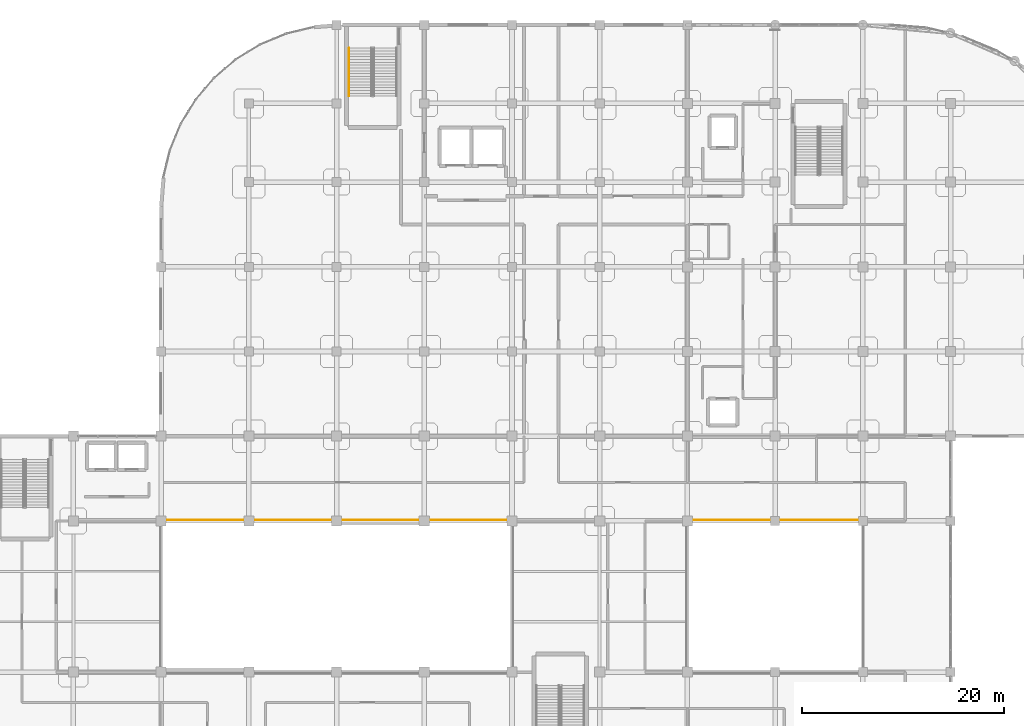
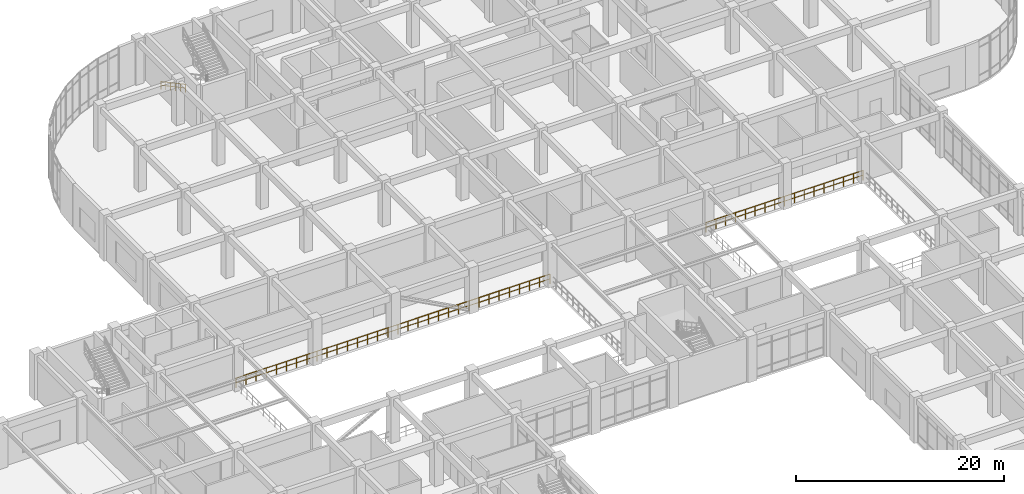
# One storey, part 110 of 114: 3 railings.
"""IFC4 building model written with IfcOpenShell, lengths in metres."""

from ifc_helpers import new_model, si_unit, derived_unit, direction, frame, origin, origin_2d, place, context, subcontext, project, spatial, circle, extrude, material, type_object, element, save


model = new_model("IFC4")

# Units and contexts
model_context = context("Model", 3, precision=1e-05, world=origin(), true_north=direction((0.0, 1.0)))
body_context = subcontext(model_context, "Body", "Model", "MODEL_VIEW")
ifc_project = project(units=[si_unit("LENGTHUNIT", "METRE"), si_unit("AREAUNIT", "SQUARE_METRE"), si_unit("VOLUMEUNIT", "CUBIC_METRE"), si_unit("PLANEANGLEUNIT", "RADIAN"), si_unit("MASSUNIT", "GRAM", prefix="KILO"), derived_unit("THERMALTRANSMITTANCEUNIT", [(si_unit("MASSUNIT", "GRAM", prefix="KILO"), 1), (si_unit("TIMEUNIT", "SECOND"), -3), (si_unit("THERMODYNAMICTEMPERATUREUNIT", "KELVIN"), -1)])], contexts=[model_context])

# Site, building, storey
site_placement = place(None, origin())
site = spatial("IfcSite", under=ifc_project, at=site_placement, CompositionType="ELEMENT")
building_placement = place(site_placement, origin())
building = spatial("IfcBuilding", under=site, at=building_placement, Name="Qinzheling Arcade Emporium", CompositionType="ELEMENT")
storey_placement = place(building_placement, frame((0.0, 0.0, 6.0)))
storey = spatial("IfcBuildingStorey", under=building, at=storey_placement, Name="L02", CompositionType="ELEMENT", Elevation=6.0)

# Railings
ifc_material_1 = material(Name="Galvanised powder-coated tubular steel", Category="steel")
railing_type_1 = type_object("IfcRailingType", Name="Painted Steel Stairwell Guard Railing 1150", PredefinedType="GUARDRAIL", material=ifc_material_1)
railing_1_placement = place(storey_placement, frame((52.169921875, 65.47998046875, 0.0)))
element("IfcRailing", 1, at=railing_1_placement, inside=storey, type_object=railing_type_1, Name="Atrium Void Guard L02 N", PredefinedType="GUARDRAIL", context=body_context, shape_type="SweptSolid", body=[
    extrude(circle(Radius=0.02392578125, at=origin_2d()), frame((0.0, 0.0, 1.1259765625), z_axis=(1.0, 0.0, 0.0), x_axis=(0.0, 1.0, 0.0)), (0.0, 0.0, 1.0), 34.860107421875),
    extrude(circle(Radius=0.01611328125, at=origin_2d()), frame((0.0, 0.0, 0.574951171875), z_axis=(1.0, 0.0, 0.0), x_axis=(0.0, 1.0, 0.0)), (0.0, 0.0, 1.0), 34.860107421875),
    extrude(circle(Radius=0.02099609375, at=origin_2d()), origin(), (0.0, 0.0, 1.0), 1.101806640625),
    extrude(circle(Radius=0.02099609375, at=origin_2d()), frame((1.12451171875, 0.0, 0.0)), (0.0, 0.0, 1.0), 1.101806640625),
    extrude(circle(Radius=0.02099609375, at=origin_2d()), frame((2.2490234375, 0.0, 0.0)), (0.0, 0.0, 1.0), 1.101806640625),
    extrude(circle(Radius=0.02099609375, at=origin_2d()), frame((3.37353515625, 0.0, 0.0)), (0.0, 0.0, 1.0), 1.101806640625),
    extrude(circle(Radius=0.02099609375, at=origin_2d()), frame((4.498046875, 0.0, 0.0)), (0.0, 0.0, 1.0), 1.101806640625),
    extrude(circle(Radius=0.02099609375, at=origin_2d()), frame((5.62255859375, 0.0, 0.0)), (0.0, 0.0, 1.0), 1.101806640625),
    extrude(circle(Radius=0.02099609375, at=origin_2d()), frame((6.7470703125, 0.0, 0.0)), (0.0, 0.0, 1.0), 1.101806640625),
    extrude(circle(Radius=0.02099609375, at=origin_2d()), frame((7.87158203125, 0.0, 0.0)), (0.0, 0.0, 1.0), 1.101806640625),
    extrude(circle(Radius=0.02099609375, at=origin_2d()), frame((8.99609375, 0.0, 0.0)), (0.0, 0.0, 1.0), 1.101806640625),
    extrude(circle(Radius=0.02099609375, at=origin_2d()), frame((10.12060546875, 0.0, 0.0)), (0.0, 0.0, 1.0), 1.101806640625),
    extrude(circle(Radius=0.02099609375, at=origin_2d()), frame((11.2451171875, 0.0, 0.0)), (0.0, 0.0, 1.0), 1.101806640625),
    extrude(circle(Radius=0.02099609375, at=origin_2d()), frame((12.36962890625, 0.0, 0.0)), (0.0, 0.0, 1.0), 1.101806640625),
    extrude(circle(Radius=0.02099609375, at=origin_2d()), frame((13.494140625, 0.0, 0.0)), (0.0, 0.0, 1.0), 1.101806640625),
    extrude(circle(Radius=0.02099609375, at=origin_2d()), frame((14.61865234375, 0.0, 0.0)), (0.0, 0.0, 1.0), 1.101806640625),
    extrude(circle(Radius=0.02099609375, at=origin_2d()), frame((15.7431640625, 0.0, 0.0)), (0.0, 0.0, 1.0), 1.101806640625),
    extrude(circle(Radius=0.02099609375, at=origin_2d()), frame((16.86767578125, 0.0, 0.0)), (0.0, 0.0, 1.0), 1.101806640625),
    extrude(circle(Radius=0.02099609375, at=origin_2d()), frame((17.992431640625, 0.0, 0.0)), (0.0, 0.0, 1.0), 1.101806640625),
    extrude(circle(Radius=0.02099609375, at=origin_2d()), frame((19.116943359375, 0.0, 0.0)), (0.0, 0.0, 1.0), 1.101806640625),
    extrude(circle(Radius=0.02099609375, at=origin_2d()), frame((20.241455078125, 0.0, 0.0)), (0.0, 0.0, 1.0), 1.101806640625),
    extrude(circle(Radius=0.02099609375, at=origin_2d()), frame((21.365966796875, 0.0, 0.0)), (0.0, 0.0, 1.0), 1.101806640625),
    extrude(circle(Radius=0.02099609375, at=origin_2d()), frame((22.490478515625, 0.0, 0.0)), (0.0, 0.0, 1.0), 1.101806640625),
    extrude(circle(Radius=0.02099609375, at=origin_2d()), frame((23.614990234375, 0.0, 0.0)), (0.0, 0.0, 1.0), 1.101806640625),
    extrude(circle(Radius=0.02099609375, at=origin_2d()), frame((24.739501953125, 0.0, 0.0)), (0.0, 0.0, 1.0), 1.101806640625),
    extrude(circle(Radius=0.02099609375, at=origin_2d()), frame((25.864013671875, 0.0, 0.0)), (0.0, 0.0, 1.0), 1.101806640625),
    extrude(circle(Radius=0.02099609375, at=origin_2d()), frame((26.988525390625, 0.0, 0.0)), (0.0, 0.0, 1.0), 1.101806640625),
    extrude(circle(Radius=0.02099609375, at=origin_2d()), frame((28.113037109375, 0.0, 0.0)), (0.0, 0.0, 1.0), 1.101806640625),
    extrude(circle(Radius=0.02099609375, at=origin_2d()), frame((29.237548828125, 0.0, 0.0)), (0.0, 0.0, 1.0), 1.101806640625),
    extrude(circle(Radius=0.02099609375, at=origin_2d()), frame((30.362060546875, 0.0, 0.0)), (0.0, 0.0, 1.0), 1.101806640625),
    extrude(circle(Radius=0.02099609375, at=origin_2d()), frame((31.486572265625, 0.0, 0.0)), (0.0, 0.0, 1.0), 1.101806640625),
    extrude(circle(Radius=0.02099609375, at=origin_2d()), frame((32.611083984375, 0.0, 0.0)), (0.0, 0.0, 1.0), 1.101806640625),
    extrude(circle(Radius=0.02099609375, at=origin_2d()), frame((33.735595703125, 0.0, 0.0)), (0.0, 0.0, 1.0), 1.101806640625),
    extrude(circle(Radius=0.02099609375, at=origin_2d()), frame((34.860107421875, 0.0, 0.0)), (0.0, 0.0, 1.0), 1.101806640625),
])
railing_2_placement = place(storey_placement, frame((104.3701171875, 65.47998046875, 0.0)))
element("IfcRailing", 2, at=railing_2_placement, inside=storey, type_object=railing_type_1, Name="Arcade Void Guard L02 N", PredefinedType="GUARDRAIL", context=body_context, shape_type="SweptSolid", body=[
    extrude(circle(Radius=0.02392578125, at=origin_2d()), frame((0.0, 0.0, 1.1259765625), z_axis=(1.0, 0.0, 0.0), x_axis=(0.0, 1.0, 0.0)), (0.0, 0.0, 1.0), 17.4599609375),
    extrude(circle(Radius=0.01611328125, at=origin_2d()), frame((0.0, 0.0, 0.574951171875), z_axis=(1.0, 0.0, 0.0), x_axis=(0.0, 1.0, 0.0)), (0.0, 0.0, 1.0), 17.4599609375),
    extrude(circle(Radius=0.02099609375, at=origin_2d()), origin(), (0.0, 0.0, 1.0), 1.101806640625),
    extrude(circle(Radius=0.02099609375, at=origin_2d()), frame((1.09130859375, 0.0, 0.0)), (0.0, 0.0, 1.0), 1.101806640625),
    extrude(circle(Radius=0.02099609375, at=origin_2d()), frame((2.1826171875, 0.0, 0.0)), (0.0, 0.0, 1.0), 1.101806640625),
    extrude(circle(Radius=0.02099609375, at=origin_2d()), frame((3.273681640625, 0.0, 0.0)), (0.0, 0.0, 1.0), 1.101806640625),
    extrude(circle(Radius=0.02099609375, at=origin_2d()), frame((4.364990234375, 0.0, 0.0)), (0.0, 0.0, 1.0), 1.101806640625),
    extrude(circle(Radius=0.02099609375, at=origin_2d()), frame((5.456298828125, 0.0, 0.0)), (0.0, 0.0, 1.0), 1.101806640625),
    extrude(circle(Radius=0.02099609375, at=origin_2d()), frame((6.54736328125, 0.0, 0.0)), (0.0, 0.0, 1.0), 1.101806640625),
    extrude(circle(Radius=0.02099609375, at=origin_2d()), frame((7.638671875, 0.0, 0.0)), (0.0, 0.0, 1.0), 1.101806640625),
    extrude(circle(Radius=0.02099609375, at=origin_2d()), frame((8.72998046875, 0.0, 0.0)), (0.0, 0.0, 1.0), 1.101806640625),
    extrude(circle(Radius=0.02099609375, at=origin_2d()), frame((9.8212890625, 0.0, 0.0)), (0.0, 0.0, 1.0), 1.101806640625),
    extrude(circle(Radius=0.02099609375, at=origin_2d()), frame((10.91259765625, 0.0, 0.0)), (0.0, 0.0, 1.0), 1.101806640625),
    extrude(circle(Radius=0.02099609375, at=origin_2d()), frame((12.003662109375, 0.0, 0.0)), (0.0, 0.0, 1.0), 1.101806640625),
    extrude(circle(Radius=0.02099609375, at=origin_2d()), frame((13.094970703125, 0.0, 0.0)), (0.0, 0.0, 1.0), 1.101806640625),
    extrude(circle(Radius=0.02099609375, at=origin_2d()), frame((14.186279296875, 0.0, 0.0)), (0.0, 0.0, 1.0), 1.101806640625),
    extrude(circle(Radius=0.02099609375, at=origin_2d()), frame((15.27734375, 0.0, 0.0)), (0.0, 0.0, 1.0), 1.101806640625),
    extrude(circle(Radius=0.02099609375, at=origin_2d()), frame((16.36865234375, 0.0, 0.0)), (0.0, 0.0, 1.0), 1.101806640625),
    extrude(circle(Radius=0.02099609375, at=origin_2d()), frame((17.4599609375, 0.0, 0.0)), (0.0, 0.0, 1.0), 1.101806640625),
])
ifc_material_2 = material(Name="Brushed stainless steel 304", Category="steel")
railing_type_2 = type_object("IfcRailingType", Name="Stainless Steel Wall Handrail 900", PredefinedType="HANDRAIL", material=ifc_material_2)
railing_3_placement = place(storey_placement, frame((70.85009765625, 112.280029296875, 0.14990234375)))
element("IfcRailing", 3, at=railing_3_placement, inside=storey, type_object=railing_type_2, Name="L02 ST07 stair handrail 1", PredefinedType="HANDRAIL", context=body_context, shape_type="SweptSolid", body=[
    extrude(circle(Radius=0.02392578125, at=origin_2d()), frame((0.0, 0.0, 0.8759765625), z_axis=(0.0, -0.881476609435, 0.47222768557), x_axis=(1.0, 0.0, 0.0)), (0.0, 0.0, 1.0), 5.400146484375),
    extrude(circle(Radius=0.01611328125, at=origin_2d()), frame((0.0, 0.0, 0.449951171875), z_axis=(0.0, -0.881476609435, 0.47222768557), x_axis=(1.0, 0.0, 0.0)), (0.0, 0.0, 1.0), 5.400146484375),
    extrude(circle(Radius=0.02099609375, at=origin_2d()), origin(), (0.0, 0.0, 1.0), 0.851806640625),
    extrude(circle(Radius=0.02099609375, at=origin_2d()), frame((0.0, -0.951904296875, 0.510009765625)), (0.0, 0.0, 1.0), 0.851806640625),
    extrude(circle(Radius=0.02099609375, at=origin_2d()), frame((0.0, -1.904052734375, 1.02001953125)), (0.0, 0.0, 1.0), 0.851806640625),
    extrude(circle(Radius=0.02099609375, at=origin_2d()), frame((0.0, -2.85595703125, 1.530029296875)), (0.0, 0.0, 1.0), 0.851806640625),
    extrude(circle(Radius=0.02099609375, at=origin_2d()), frame((0.0, -3.80810546875, 2.0400390625)), (0.0, 0.0, 1.0), 0.851806640625),
    extrude(circle(Radius=0.02099609375, at=origin_2d()), frame((0.0, -4.760009765625, 2.550048828125)), (0.0, 0.0, 1.0), 0.851806640625),
])

save(model, "model.ifc")
